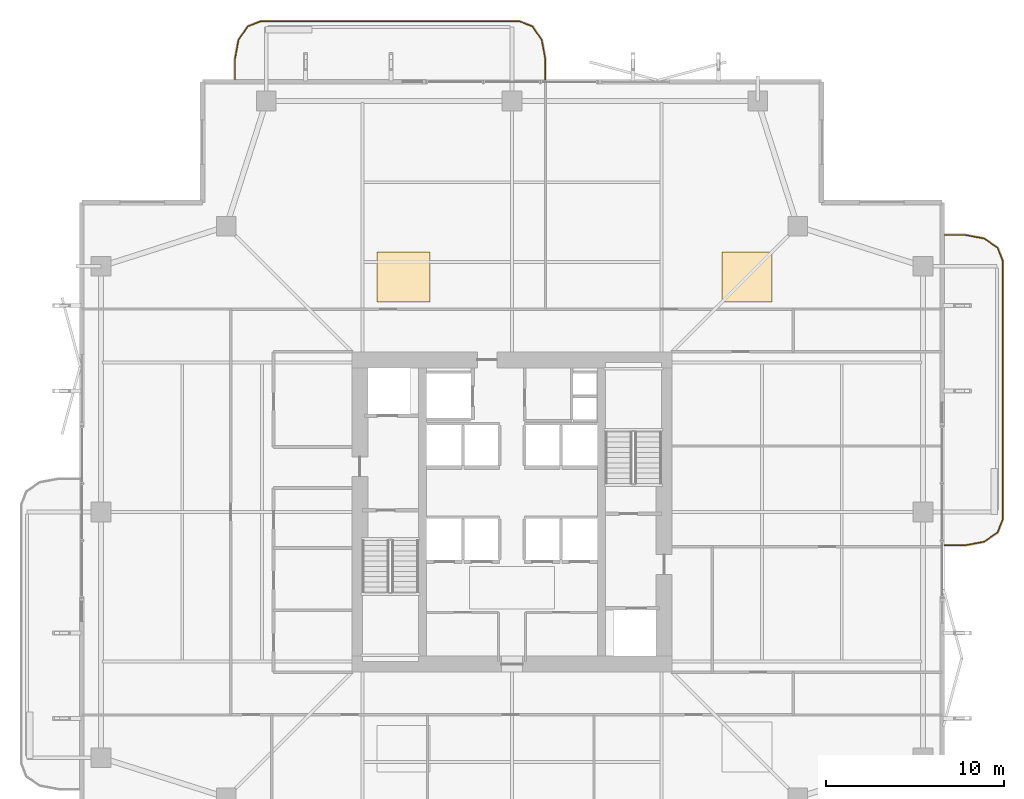
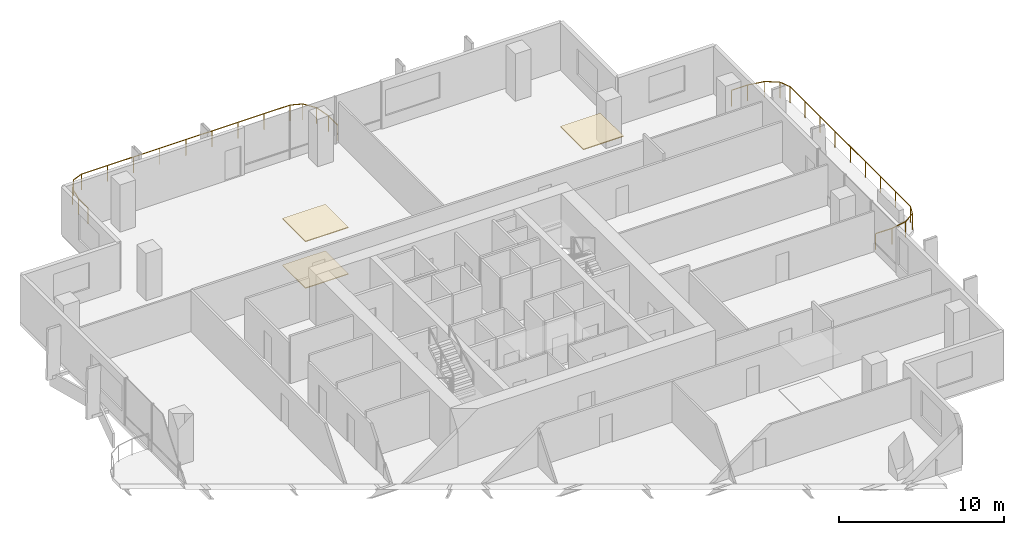
# One storey, part 24 of 24: 3 coverings, 2 railings.
"""IFC4 building model written with IfcOpenShell, lengths in metres."""

from ifc_helpers import new_model, si_unit, direction, frame, origin, origin_2d, place, context, subcontext, project, spatial, polyline, rectangle, outline, extrude, material, layer, layer_set, type_object, element, save


model = new_model("IFC4")

# Units and contexts
model_context = context("Model", 3, precision=1e-05, world=origin(), true_north=direction((0.0, 1.0)))
body_context = subcontext(model_context, "Body", "Model", "MODEL_VIEW")
ifc_project = project(units=[si_unit("LENGTHUNIT", "METRE"), si_unit("AREAUNIT", "SQUARE_METRE"), si_unit("VOLUMEUNIT", "CUBIC_METRE"), si_unit("PLANEANGLEUNIT", "RADIAN"), si_unit("MASSUNIT", "GRAM", prefix="KILO")], contexts=[model_context])

# Site, building, storey
site_placement = place(None, origin())
site = spatial("IfcSite", under=ifc_project, at=site_placement, CompositionType="ELEMENT")
building_placement = place(site_placement, origin())
building = spatial("IfcBuilding", under=site, at=building_placement, Name="Belovzor Exchange Tower", CompositionType="ELEMENT")
storey_placement = place(building_placement, frame((0.0, 0.0, 168.300048828125)))
storey = spatial("IfcBuildingStorey", under=building, at=storey_placement, Name="L41", CompositionType="ELEMENT", Elevation=168.300048828125)

# Railings
ifc_material_1 = material(Name="Stainless Steel and Laminated Safety Glass", Category="steel")
railing_type = type_object("IfcRailingType", Name="Laminated Glass & Stainless Steel Balcony Balustrade 1200", PredefinedType="BALUSTRADE", material=ifc_material_1)
railing_1_placement = place(storey_placement, frame((30.669921875, 53.110107421875, 0.0)))
element("IfcRailing", 1, at=railing_1_placement, inside=storey, type_object=railing_type, Name="GR-1 Balcony Balustrade L41 North", PredefinedType="BALUSTRADE", context=body_context, shape_type="SweptSolid", body=[
    extrude(rectangle(XDim=0.048095703125, YDim=0.048095703125, at=origin_2d()), frame((0.0, 0.0, 1.17578125), z_axis=(0.0, 1.0, 0.0), x_axis=(-1.0, 0.0, 0.0)), (0.0, 0.0, 1.0), 1.1328125),
    extrude(rectangle(XDim=0.048095703125, YDim=0.048095703125, at=origin_2d()), frame((0.0, 1.1328125, 1.17578125), z_axis=(-0.180083182347, 0.983651385113, 0.0), x_axis=(-0.983651385113, -0.180083182347, 0.0)), (0.0, 0.0, 1.0), 1.093994140625),
    extrude(rectangle(XDim=0.048095703125, YDim=0.048095703125, at=origin_2d()), frame((-0.197021484375, 2.208984375, 1.17578125), z_axis=(-0.562768145367, 0.826614792125, 0.0), x_axis=(-0.826614792125, -0.562768145367, 0.0)), (0.0, 0.0, 1.0), 0.9326171875),
    extrude(rectangle(XDim=0.048095703125, YDim=0.048095703125, at=origin_2d()), frame((-0.721923828125, 2.97998046875, 1.17578125), z_axis=(-0.930766990125, 0.365612923861, 0.0), x_axis=(-0.365612923861, -0.930766990125, 0.0)), (0.0, 0.0, 1.0), 0.765869140625),
    extrude(rectangle(XDim=0.048095703125, YDim=0.048095703125, at=origin_2d()), frame((-1.434814453125, 3.260009765625, 1.17578125), z_axis=(-1.0, 0.0, 0.0), x_axis=(0.0, -1.0, 0.0)), (0.0, 0.0, 1.0), 14.570068359375),
    extrude(rectangle(XDim=0.048095703125, YDim=0.048095703125, at=origin_2d()), frame((-16.0048828125, 3.260009765625, 1.17578125), z_axis=(-0.930809580156, -0.365504480807, 0.0), x_axis=(0.365504480807, -0.930809580156, 0.0)), (0.0, 0.0, 1.0), 0.76611328125),
    extrude(rectangle(XDim=0.048095703125, YDim=0.048095703125, at=origin_2d()), frame((-16.718017578125, 2.97998046875, 1.17578125), z_axis=(-0.562768145367, -0.826614792125, 0.0), x_axis=(0.826614792125, -0.562768145367, 0.0)), (0.0, 0.0, 1.0), 0.9326171875),
    extrude(rectangle(XDim=0.048095703125, YDim=0.048095703125, at=origin_2d()), frame((-17.242919921875, 2.208984375, 1.17578125), z_axis=(-0.180083182347, -0.983651385113, 0.0), x_axis=(0.983651385113, -0.180083182347, 0.0)), (0.0, 0.0, 1.0), 1.093994140625),
    extrude(rectangle(XDim=0.048095703125, YDim=0.048095703125, at=origin_2d()), frame((-17.43994140625, 1.1328125, 1.17578125), z_axis=(0.0, -1.0, 0.0), x_axis=(1.0, 0.0, 0.0)), (0.0, 0.0, 1.0), 1.1328125),
    extrude(rectangle(XDim=0.0419921875, YDim=0.0419921875, at=origin_2d()), origin(), (0.0, 0.0, 1.0), 1.15185546875),
    extrude(rectangle(XDim=0.0419921875, YDim=0.0419921875, at=origin_2d()), frame((0.0, 1.1328125, 0.0)), (0.0, 0.0, 1.0), 1.15185546875),
    extrude(rectangle(XDim=0.0419921875, YDim=0.0419921875, at=origin_2d()), frame((-0.197021484375, 2.208984375, 0.0)), (0.0, 0.0, 1.0), 1.15185546875),
    extrude(rectangle(XDim=0.0419921875, YDim=0.0419921875, at=origin_2d()), frame((-0.721923828125, 2.97998046875, 0.0)), (0.0, 0.0, 1.0), 1.15185546875),
    extrude(rectangle(XDim=0.0419921875, YDim=0.0419921875, at=origin_2d()), frame((-1.434814453125, 3.260009765625, 0.0)), (0.0, 0.0, 1.0), 1.15185546875),
    extrude(rectangle(XDim=0.0419921875, YDim=0.0419921875, at=origin_2d()), frame((-3.256103515625, 3.260009765625, 0.0)), (0.0, 0.0, 1.0), 1.15185546875),
    extrude(rectangle(XDim=0.0419921875, YDim=0.0419921875, at=origin_2d()), frame((-5.077392578125, 3.260009765625, 0.0)), (0.0, 0.0, 1.0), 1.15185546875),
    extrude(rectangle(XDim=0.0419921875, YDim=0.0419921875, at=origin_2d()), frame((-6.898681640625, 3.260009765625, 0.0)), (0.0, 0.0, 1.0), 1.15185546875),
    extrude(rectangle(XDim=0.0419921875, YDim=0.0419921875, at=origin_2d()), frame((-8.7197265625, 3.260009765625, 0.0)), (0.0, 0.0, 1.0), 1.15185546875),
    extrude(rectangle(XDim=0.0419921875, YDim=0.0419921875, at=origin_2d()), frame((-10.541015625, 3.260009765625, 0.0)), (0.0, 0.0, 1.0), 1.15185546875),
    extrude(rectangle(XDim=0.0419921875, YDim=0.0419921875, at=origin_2d()), frame((-12.3623046875, 3.260009765625, 0.0)), (0.0, 0.0, 1.0), 1.15185546875),
    extrude(rectangle(XDim=0.0419921875, YDim=0.0419921875, at=origin_2d()), frame((-14.18359375, 3.260009765625, 0.0)), (0.0, 0.0, 1.0), 1.15185546875),
    extrude(rectangle(XDim=0.0419921875, YDim=0.0419921875, at=origin_2d()), frame((-16.0048828125, 3.260009765625, 0.0)), (0.0, 0.0, 1.0), 1.15185546875),
    extrude(rectangle(XDim=0.0419921875, YDim=0.0419921875, at=origin_2d()), frame((-16.718017578125, 2.97998046875, 0.0)), (0.0, 0.0, 1.0), 1.15185546875),
    extrude(rectangle(XDim=0.0419921875, YDim=0.0419921875, at=origin_2d()), frame((-17.242919921875, 2.208984375, 0.0)), (0.0, 0.0, 1.0), 1.15185546875),
    extrude(rectangle(XDim=0.0419921875, YDim=0.0419921875, at=origin_2d()), frame((-17.43994140625, 1.1328125, 0.0)), (0.0, 0.0, 1.0), 1.15185546875),
    extrude(rectangle(XDim=0.0419921875, YDim=0.0419921875, at=origin_2d()), frame((-17.43994140625, 0.0, 0.0)), (0.0, 0.0, 1.0), 1.15185546875),
])
railing_2_placement = place(storey_placement, frame((53.110107421875, 26.929931640625, 0.0)))
element("IfcRailing", 2, at=railing_2_placement, inside=storey, type_object=railing_type, Name="GR-1 Balcony Balustrade L41 East", PredefinedType="BALUSTRADE", context=body_context, shape_type="SweptSolid", body=[
    extrude(rectangle(XDim=0.048095703125, YDim=0.048095703125, at=origin_2d()), frame((0.0, 0.0, 1.17578125), z_axis=(1.0, 0.0, 0.0), x_axis=(0.0, 1.0, 0.0)), (0.0, 0.0, 1.0), 1.1328125),
    extrude(rectangle(XDim=0.048095703125, YDim=0.048095703125, at=origin_2d()), frame((1.1328125, 0.0, 1.17578125), z_axis=(0.983651385113, 0.180083182347, 0.0), x_axis=(-0.180083182347, 0.983651385113, 0.0)), (0.0, 0.0, 1.0), 1.093994140625),
    extrude(rectangle(XDim=0.048095703125, YDim=0.048095703125, at=origin_2d()), frame((2.208984375, 0.197021484375, 1.17578125), z_axis=(0.826493025367, 0.56294695933, 0.0), x_axis=(-0.56294695933, 0.826493025367, 0.0)), (0.0, 0.0, 1.0), 0.932861328125),
    extrude(rectangle(XDim=0.048095703125, YDim=0.048095703125, at=origin_2d()), frame((2.97998046875, 0.72216796875, 1.17578125), z_axis=(0.365612923861, 0.930766990125, 0.0), x_axis=(-0.930766990125, 0.365612923861, 0.0)), (0.0, 0.0, 1.0), 0.765869140625),
    extrude(rectangle(XDim=0.048095703125, YDim=0.048095703125, at=origin_2d()), frame((3.260009765625, 1.43505859375, 1.17578125), z_axis=(0.0, 1.0, 0.0), x_axis=(-1.0, 0.0, 0.0)), (0.0, 0.0, 1.0), 14.570068359375),
    extrude(rectangle(XDim=0.048095703125, YDim=0.048095703125, at=origin_2d()), frame((3.260009765625, 16.005126953125, 1.17578125), z_axis=(-0.365612923861, 0.930766990125, 0.0), x_axis=(-0.930766990125, -0.365612923861, 0.0)), (0.0, 0.0, 1.0), 0.765869140625),
    extrude(rectangle(XDim=0.048095703125, YDim=0.048095703125, at=origin_2d()), frame((2.97998046875, 16.718017578125, 1.17578125), z_axis=(-0.826493025367, 0.56294695933, 0.0), x_axis=(-0.56294695933, -0.826493025367, 0.0)), (0.0, 0.0, 1.0), 0.932861328125),
    extrude(rectangle(XDim=0.048095703125, YDim=0.048095703125, at=origin_2d()), frame((2.208984375, 17.2431640625, 1.17578125), z_axis=(-0.983651385113, 0.180083182347, 0.0), x_axis=(-0.180083182347, -0.983651385113, 0.0)), (0.0, 0.0, 1.0), 1.093994140625),
    extrude(rectangle(XDim=0.048095703125, YDim=0.048095703125, at=origin_2d()), frame((1.1328125, 17.440185546875, 1.17578125), z_axis=(-1.0, 0.0, 0.0), x_axis=(0.0, -1.0, 0.0)), (0.0, 0.0, 1.0), 1.1328125),
    extrude(rectangle(XDim=0.0419921875, YDim=0.0419921875, at=origin_2d()), origin(), (0.0, 0.0, 1.0), 1.15185546875),
    extrude(rectangle(XDim=0.0419921875, YDim=0.0419921875, at=origin_2d()), frame((1.1328125, 0.0, 0.0)), (0.0, 0.0, 1.0), 1.15185546875),
    extrude(rectangle(XDim=0.0419921875, YDim=0.0419921875, at=origin_2d()), frame((2.208984375, 0.197021484375, 0.0)), (0.0, 0.0, 1.0), 1.15185546875),
    extrude(rectangle(XDim=0.0419921875, YDim=0.0419921875, at=origin_2d()), frame((2.97998046875, 0.72216796875, 0.0)), (0.0, 0.0, 1.0), 1.15185546875),
    extrude(rectangle(XDim=0.0419921875, YDim=0.0419921875, at=origin_2d()), frame((3.260009765625, 1.43505859375, 0.0)), (0.0, 0.0, 1.0), 1.15185546875),
    extrude(rectangle(XDim=0.0419921875, YDim=0.0419921875, at=origin_2d()), frame((3.260009765625, 3.25634765625, 0.0)), (0.0, 0.0, 1.0), 1.15185546875),
    extrude(rectangle(XDim=0.0419921875, YDim=0.0419921875, at=origin_2d()), frame((3.260009765625, 5.07763671875, 0.0)), (0.0, 0.0, 1.0), 1.15185546875),
    extrude(rectangle(XDim=0.0419921875, YDim=0.0419921875, at=origin_2d()), frame((3.260009765625, 6.89892578125, 0.0)), (0.0, 0.0, 1.0), 1.15185546875),
    extrude(rectangle(XDim=0.0419921875, YDim=0.0419921875, at=origin_2d()), frame((3.260009765625, 8.72021484375, 0.0)), (0.0, 0.0, 1.0), 1.15185546875),
    extrude(rectangle(XDim=0.0419921875, YDim=0.0419921875, at=origin_2d()), frame((3.260009765625, 10.541259765625, 0.0)), (0.0, 0.0, 1.0), 1.15185546875),
    extrude(rectangle(XDim=0.0419921875, YDim=0.0419921875, at=origin_2d()), frame((3.260009765625, 12.362548828125, 0.0)), (0.0, 0.0, 1.0), 1.15185546875),
    extrude(rectangle(XDim=0.0419921875, YDim=0.0419921875, at=origin_2d()), frame((3.260009765625, 14.183837890625, 0.0)), (0.0, 0.0, 1.0), 1.15185546875),
    extrude(rectangle(XDim=0.0419921875, YDim=0.0419921875, at=origin_2d()), frame((3.260009765625, 16.005126953125, 0.0)), (0.0, 0.0, 1.0), 1.15185546875),
    extrude(rectangle(XDim=0.0419921875, YDim=0.0419921875, at=origin_2d()), frame((2.97998046875, 16.718017578125, 0.0)), (0.0, 0.0, 1.0), 1.15185546875),
    extrude(rectangle(XDim=0.0419921875, YDim=0.0419921875, at=origin_2d()), frame((2.208984375, 17.2431640625, 0.0)), (0.0, 0.0, 1.0), 1.15185546875),
    extrude(rectangle(XDim=0.0419921875, YDim=0.0419921875, at=origin_2d()), frame((1.1328125, 17.440185546875, 0.0)), (0.0, 0.0, 1.0), 1.15185546875),
    extrude(rectangle(XDim=0.0419921875, YDim=0.0419921875, at=origin_2d()), frame((0.0, 17.440185546875, 0.0)), (0.0, 0.0, 1.0), 1.15185546875),
])

# Coverings
ifc_material_2 = material(Name="Perforated Powder-Coated Aluminium", Category="aluminium")
ifc_layer_1 = layer(ifc_material_2, 0.06005859375)
ifc_layer_set_1 = layer_set([ifc_layer_1], Name="Perforated Powder-Coated Aluminium")
covering_type_1 = type_object("IfcCoveringType", Name="Perforated Acoustic Metal Tile Suspended Ceiling 60", PredefinedType="CEILING", material=ifc_layer_set_1)
covering_1_placement = place(storey_placement, frame((0.0, 0.0, 3.43505859375)))
element("IfcCovering", 3, at=covering_1_placement, inside=storey, type_object=covering_type_1, Name="CLG-AC60 Suspended Ceiling CLG-L41-Z2", PredefinedType="CEILING", context=body_context, shape_type="SweptSolid", body=[
    extrude(outline(polyline([(40.60009765625, 40.60009765625), (43.39990234375, 40.60009765625), (43.39990234375, 43.39990234375), (40.60009765625, 43.39990234375), (40.60009765625, 40.60009765625)])), origin(), (0.0, 0.0, 1.0), 0.059814453125),
])
covering_2_placement = place(storey_placement, frame((0.0, 0.0, 3.43505859375)))
element("IfcCovering", 4, at=covering_2_placement, inside=storey, type_object=covering_type_1, Name="CLG-AC60 Suspended Ceiling CLG-L41-Z3", PredefinedType="CEILING", context=body_context, shape_type="SweptSolid", body=[
    extrude(outline(polyline([(21.199951171875, 40.60009765625), (24.199951171875, 40.60009765625), (24.199951171875, 43.39990234375), (21.199951171875, 43.39990234375), (21.199951171875, 40.60009765625)])), origin(), (0.0, 0.0, 1.0), 0.059814453125),
])
ifc_material_3 = material(Name="Polished Natural Granite Tile", Category="masonry")
ifc_layer_2 = layer(ifc_material_3, 0.050048828125)
ifc_layer_set_2 = layer_set([ifc_layer_2], Name="Polished Natural Granite Tile")
covering_type_2 = type_object("IfcCoveringType", Name="Polished Karelian Granite & Raised Access Floor Finish 50", PredefinedType="FLOORING", material=ifc_layer_set_2)
covering_3_placement = place(storey_placement, origin())
element("IfcCovering", 5, at=covering_3_placement, inside=storey, type_object=covering_type_2, Name="FLR-GR50 Floor Finish FLR-L41-Z3", PredefinedType="FLOORING", context=body_context, shape_type="SweptSolid", body=[
    extrude(outline(polyline([(21.199951171875, 40.60009765625), (24.199951171875, 40.60009765625), (24.199951171875, 43.39990234375), (21.199951171875, 43.39990234375), (21.199951171875, 40.60009765625)])), origin(), (0.0, 0.0, 1.0), 0.050048828125),
])

save(model, "model.ifc")
